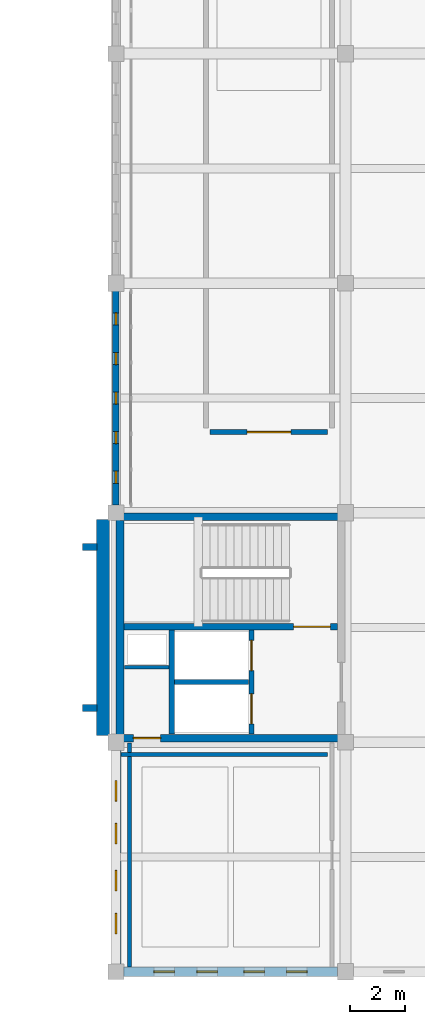
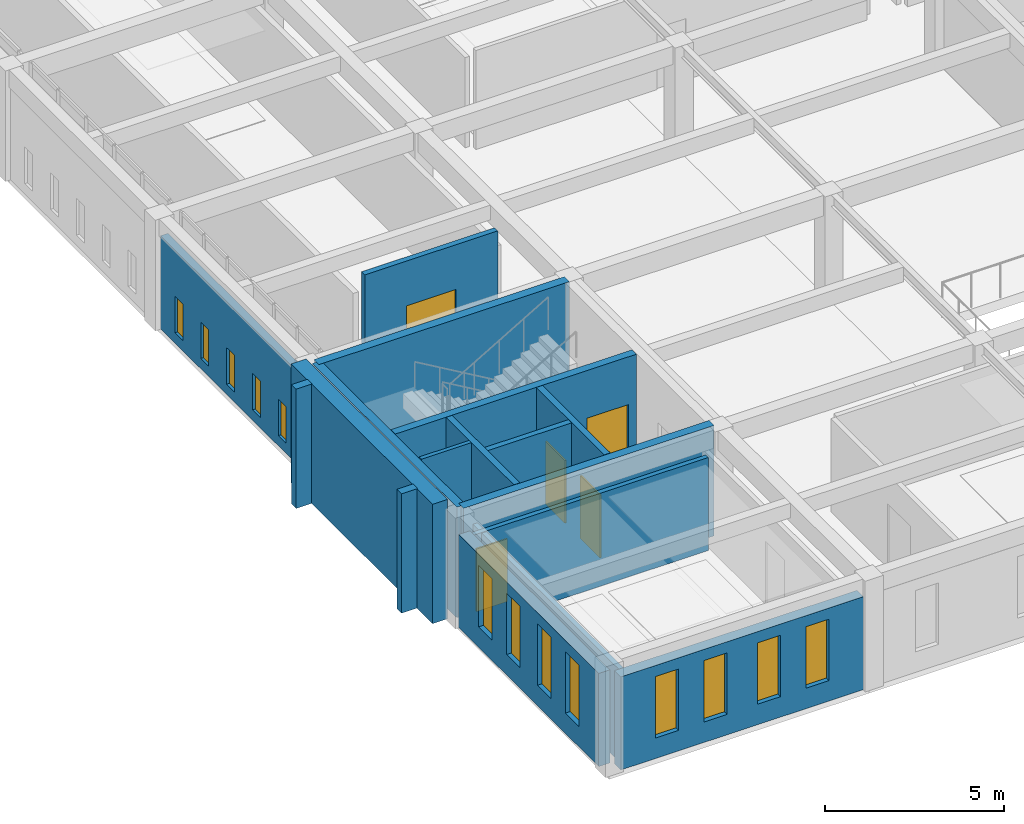
# One storey, part 42 of 56: 17 walls, 13 windows, 5 doors, 18 openings.
"""IFC4 building model written with IfcOpenShell, lengths in metres."""

from ifc_helpers import new_model, si_unit, direction, frame, frame_2d, origin, place, context, subcontext, project, spatial, rectangle, extrude, material, layer, layer_set, type_object, element, fill, save


model = new_model("IFC4")

# Units and contexts
model_context = context("Model", 3, precision=1e-05, world=origin(), true_north=direction((0.0, 1.0)))
body_context = subcontext(model_context, "Body", "Model", "MODEL_VIEW")
ifc_project = project(units=[si_unit("LENGTHUNIT", "METRE"), si_unit("AREAUNIT", "SQUARE_METRE"), si_unit("VOLUMEUNIT", "CUBIC_METRE"), si_unit("PLANEANGLEUNIT", "RADIAN"), si_unit("MASSUNIT", "GRAM", prefix="KILO")], contexts=[model_context])

# Site, building, storey
site_placement = place(None, origin())
site = spatial("IfcSite", under=ifc_project, at=site_placement, CompositionType="ELEMENT")
building_placement = place(site_placement, origin())
building = spatial("IfcBuilding", under=site, at=building_placement, Name="Kveldsbrygga Polytechnic", CompositionType="ELEMENT")
storey_placement = place(building_placement, frame((0.0, 0.0, 18.02001953125)))
storey = spatial("IfcBuildingStorey", under=building, at=storey_placement, Name="L04", CompositionType="ELEMENT", Elevation=18.02001953125)

# Wall
ifc_material_1 = material(Name="Fired clay brick masonry M10", Category="masonry")
ifc_layer_1 = layer(ifc_material_1, 0.47998046875)
ifc_layer_set_1 = layer_set([ifc_layer_1], Name="Fired clay brick masonry M10")
wall_type_1 = type_object("IfcWallType", Name="EW-BAST-480", PredefinedType="SOLIDWALL", material=ifc_layer_set_1)
wall_1_placement = place(storey_placement, frame((125.52001953125, 25.43994140625, 0.0), z_axis=(0.0, 0.0, 1.0), x_axis=(0.0, 1.0, 0.0)))
element("IfcWall", 1, at=wall_1_placement, inside=storey, type_object=wall_type_1, Name="Corner Stair Bastion Wall BAST-L04-Y-15-03", PredefinedType="SOLIDWALL", context=body_context, shape_type="SweptSolid", body=[
    extrude(rectangle(XDim=7.920166015625, YDim=0.47998046875, at=frame_2d((3.9599609375, 0.0))), origin(), (0.0, 0.0, 1.0), 4.080078125),
])

# Wall, openings, windows
ifc_layer_2 = layer(ifc_material_1, 0.360107421875)
ifc_layer_set_2 = layer_set([ifc_layer_2], Name="Fired clay brick masonry M10")
wall_type_2 = type_object("IfcWallType", Name="EW-BRICK-360", PredefinedType="SOLIDWALL", material=ifc_layer_set_2)
wall_2_placement = place(storey_placement, frame((126.27490234375, 16.800048828125, 0.0), z_axis=(0.0, 0.0, 1.0), x_axis=(1.0, 0.0, 0.0)))
wall_2 = element("IfcWall", 2, at=wall_2_placement, inside=storey, type_object=wall_type_2, Name="Exterior Brick Wall EW-L04-X-15-02", PredefinedType="SOLIDWALL", context=body_context, shape_type="SweptSolid", body=[
    extrude(rectangle(XDim=7.840087890625, YDim=0.360107421875, at=frame_2d((3.919921875, 0.0))), origin(), (0.0, 0.0, 1.0), 3.179931640625),
])
opening_1_placement = place(wall_2_placement, frame((1.114501953125, 0.0, 0.699951171875)))
opening_1 = element("IfcOpeningElement", 3, at=opening_1_placement, cuts=wall_2, Name="Opening W-27", PredefinedType="OPENING", context=body_context, shape_type="SweptSolid", body=[
    extrude(rectangle(XDim=0.75, YDim=2.10009765625, at=frame_2d((0.375, 1.050048828125))), frame((0.0, 0.18994140625, 0.0), z_axis=(0.0, -1.0, 0.0), x_axis=(1.0, 0.0, 0.0)), (0.0, 0.0, 1.0), 0.380126953125),
])
opening_2_placement = place(wall_2_placement, frame((2.6826171875, 0.0, 0.699951171875)))
opening_2 = element("IfcOpeningElement", 4, at=opening_2_placement, cuts=wall_2, Name="Opening W-27", PredefinedType="OPENING", context=body_context, shape_type="SweptSolid", body=[
    extrude(rectangle(XDim=0.75, YDim=2.10009765625, at=frame_2d((0.375, 1.050048828125))), frame((0.0, 0.18994140625, 0.0), z_axis=(0.0, -1.0, 0.0), x_axis=(1.0, 0.0, 0.0)), (0.0, 0.0, 1.0), 0.380126953125),
])
opening_3_placement = place(wall_2_placement, frame((4.407470703125, 0.0, 0.699951171875)))
opening_3 = element("IfcOpeningElement", 5, at=opening_3_placement, cuts=wall_2, Name="Opening W-27", PredefinedType="OPENING", context=body_context, shape_type="SweptSolid", body=[
    extrude(rectangle(XDim=0.75, YDim=2.10009765625, at=frame_2d((0.375, 1.050048828125))), frame((0.0, 0.18994140625, 0.0), z_axis=(0.0, -1.0, 0.0), x_axis=(1.0, 0.0, 0.0)), (0.0, 0.0, 1.0), 0.380126953125),
])
opening_4_placement = place(wall_2_placement, frame((5.975341796875, 0.0, 0.699951171875)))
opening_4 = element("IfcOpeningElement", 6, at=opening_4_placement, cuts=wall_2, Name="Opening W-27", PredefinedType="OPENING", context=body_context, shape_type="SweptSolid", body=[
    extrude(rectangle(XDim=0.75, YDim=2.10009765625, at=frame_2d((0.375, 1.050048828125))), frame((0.0, 0.18994140625, 0.0), z_axis=(0.0, -1.0, 0.0), x_axis=(1.0, 0.0, 0.0)), (0.0, 0.0, 1.0), 0.380126953125),
])
ifc_material_2 = material(Name="Insulated triple low-E glass", Category="glass")
window_type_1 = type_object("IfcWindowType", Name="WN-ATTIC-075x210", PartitioningType="DOUBLE_PANEL_VERTICAL", PredefinedType="WINDOW", material=ifc_material_2)
window_1_placement = place(opening_1_placement, origin())
window_1 = element("IfcWindow", 7, at=window_1_placement, inside=storey, type_object=window_type_1, Name="Gothic Lancet Window WIN-L04-X-15-02-1", OverallHeight=2.10009765625, OverallWidth=0.75, PartitioningType="DOUBLE_PANEL_VERTICAL", PredefinedType="WINDOW", context=body_context, shape_type="SweptSolid", body=[
    extrude(rectangle(XDim=0.75, YDim=2.10009765625, at=frame_2d((0.375, 1.050048828125))), frame((0.0, 0.030029296875, 0.0), z_axis=(0.0, -1.0, 0.0), x_axis=(1.0, 0.0, 0.0)), (0.0, 0.0, 1.0), 0.06005859375),
])
fill(opening_1, window_1)
window_2_placement = place(opening_2_placement, origin())
window_2 = element("IfcWindow", 8, at=window_2_placement, inside=storey, type_object=window_type_1, Name="Gothic Lancet Window WIN-L04-X-15-02-2", OverallHeight=2.10009765625, OverallWidth=0.75, PartitioningType="DOUBLE_PANEL_VERTICAL", PredefinedType="WINDOW", context=body_context, shape_type="SweptSolid", body=[
    extrude(rectangle(XDim=0.75, YDim=2.10009765625, at=frame_2d((0.375, 1.050048828125))), frame((0.0, 0.030029296875, 0.0), z_axis=(0.0, -1.0, 0.0), x_axis=(1.0, 0.0, 0.0)), (0.0, 0.0, 1.0), 0.06005859375),
])
fill(opening_2, window_2)
window_3_placement = place(opening_3_placement, origin())
window_3 = element("IfcWindow", 9, at=window_3_placement, inside=storey, type_object=window_type_1, Name="Gothic Lancet Window WIN-L04-X-15-02-3", OverallHeight=2.10009765625, OverallWidth=0.75, PartitioningType="DOUBLE_PANEL_VERTICAL", PredefinedType="WINDOW", context=body_context, shape_type="SweptSolid", body=[
    extrude(rectangle(XDim=0.75, YDim=2.10009765625, at=frame_2d((0.375, 1.050048828125))), frame((0.0, 0.030029296875, 0.0), z_axis=(0.0, -1.0, 0.0), x_axis=(1.0, 0.0, 0.0)), (0.0, 0.0, 1.0), 0.06005859375),
])
fill(opening_3, window_3)
window_4_placement = place(opening_4_placement, origin())
window_4 = element("IfcWindow", 10, at=window_4_placement, inside=storey, type_object=window_type_1, Name="Gothic Lancet Window WIN-L04-X-15-02-4", OverallHeight=2.10009765625, OverallWidth=0.75, PartitioningType="DOUBLE_PANEL_VERTICAL", PredefinedType="WINDOW", context=body_context, shape_type="SweptSolid", body=[
    extrude(rectangle(XDim=0.75, YDim=2.10009765625, at=frame_2d((0.375, 1.050048828125))), frame((0.0, 0.030029296875, 0.0), z_axis=(0.0, -1.0, 0.0), x_axis=(1.0, 0.0, 0.0)), (0.0, 0.0, 1.0), 0.06005859375),
])
fill(opening_4, window_4)

wall_3_placement = place(storey_placement, frame((126.0, 17.074951171875, 0.0), z_axis=(0.0, 0.0, 1.0), x_axis=(0.0, 1.0, 0.0)))
wall_3 = element("IfcWall", 11, at=wall_3_placement, inside=storey, type_object=wall_type_2, Name="Exterior Brick Wall EW-L04-Y-15-02", PredefinedType="SOLIDWALL", context=body_context, shape_type="SweptSolid", body=[
    extrude(rectangle(XDim=7.840087890625, YDim=0.360107421875, at=frame_2d((3.919921875, 0.0))), origin(), (0.0, 0.0, 1.0), 3.179931640625),
])
opening_5_placement = place(wall_3_placement, frame((1.114501953125, 0.0, 0.699951171875)))
opening_5 = element("IfcOpeningElement", 12, at=opening_5_placement, cuts=wall_3, Name="Opening W-27", PredefinedType="OPENING", context=body_context, shape_type="SweptSolid", body=[
    extrude(rectangle(XDim=0.75, YDim=2.10009765625, at=frame_2d((0.375, 1.050048828125))), frame((0.0, 0.18994140625, 0.0), z_axis=(0.0, -1.0, 0.0), x_axis=(1.0, 0.0, 0.0)), (0.0, 0.0, 1.0), 0.380126953125),
])
opening_6_placement = place(wall_3_placement, frame((2.6826171875, 0.0, 0.699951171875)))
opening_6 = element("IfcOpeningElement", 13, at=opening_6_placement, cuts=wall_3, Name="Opening W-27", PredefinedType="OPENING", context=body_context, shape_type="SweptSolid", body=[
    extrude(rectangle(XDim=0.75, YDim=2.10009765625, at=frame_2d((0.375, 1.050048828125))), frame((0.0, 0.18994140625, 0.0), z_axis=(0.0, -1.0, 0.0), x_axis=(1.0, 0.0, 0.0)), (0.0, 0.0, 1.0), 0.380126953125),
])
opening_7_placement = place(wall_3_placement, frame((4.407470703125, 0.0, 0.699951171875)))
opening_7 = element("IfcOpeningElement", 14, at=opening_7_placement, cuts=wall_3, Name="Opening W-27", PredefinedType="OPENING", context=body_context, shape_type="SweptSolid", body=[
    extrude(rectangle(XDim=0.75, YDim=2.10009765625, at=frame_2d((0.375, 1.050048828125))), frame((0.0, 0.18994140625, 0.0), z_axis=(0.0, -1.0, 0.0), x_axis=(1.0, 0.0, 0.0)), (0.0, 0.0, 1.0), 0.380126953125),
])
opening_8_placement = place(wall_3_placement, frame((5.975341796875, 0.0, 0.699951171875)))
opening_8 = element("IfcOpeningElement", 15, at=opening_8_placement, cuts=wall_3, Name="Opening W-27", PredefinedType="OPENING", context=body_context, shape_type="SweptSolid", body=[
    extrude(rectangle(XDim=0.75, YDim=2.10009765625, at=frame_2d((0.375, 1.050048828125))), frame((0.0, 0.18994140625, 0.0), z_axis=(0.0, -1.0, 0.0), x_axis=(1.0, 0.0, 0.0)), (0.0, 0.0, 1.0), 0.380126953125),
])
window_5_placement = place(opening_5_placement, origin())
window_5 = element("IfcWindow", 16, at=window_5_placement, inside=storey, type_object=window_type_1, Name="Gothic Lancet Window WIN-L04-Y-15-02-1", OverallHeight=2.10009765625, OverallWidth=0.75, PartitioningType="DOUBLE_PANEL_VERTICAL", PredefinedType="WINDOW", context=body_context, shape_type="SweptSolid", body=[
    extrude(rectangle(XDim=0.75, YDim=2.10009765625, at=frame_2d((0.375, 1.050048828125))), frame((0.0, 0.030029296875, 0.0), z_axis=(0.0, -1.0, 0.0), x_axis=(1.0, 0.0, 0.0)), (0.0, 0.0, 1.0), 0.06005859375),
])
fill(opening_5, window_5)
window_6_placement = place(opening_6_placement, origin())
window_6 = element("IfcWindow", 17, at=window_6_placement, inside=storey, type_object=window_type_1, Name="Gothic Lancet Window WIN-L04-Y-15-02-2", OverallHeight=2.10009765625, OverallWidth=0.75, PartitioningType="DOUBLE_PANEL_VERTICAL", PredefinedType="WINDOW", context=body_context, shape_type="SweptSolid", body=[
    extrude(rectangle(XDim=0.75, YDim=2.10009765625, at=frame_2d((0.375, 1.050048828125))), frame((0.0, 0.030029296875, 0.0), z_axis=(0.0, -1.0, 0.0), x_axis=(1.0, 0.0, 0.0)), (0.0, 0.0, 1.0), 0.06005859375),
])
fill(opening_6, window_6)
window_7_placement = place(opening_7_placement, origin())
window_7 = element("IfcWindow", 18, at=window_7_placement, inside=storey, type_object=window_type_1, Name="Gothic Lancet Window WIN-L04-Y-15-02-3", OverallHeight=2.10009765625, OverallWidth=0.75, PartitioningType="DOUBLE_PANEL_VERTICAL", PredefinedType="WINDOW", context=body_context, shape_type="SweptSolid", body=[
    extrude(rectangle(XDim=0.75, YDim=2.10009765625, at=frame_2d((0.375, 1.050048828125))), frame((0.0, 0.030029296875, 0.0), z_axis=(0.0, -1.0, 0.0), x_axis=(1.0, 0.0, 0.0)), (0.0, 0.0, 1.0), 0.06005859375),
])
fill(opening_7, window_7)
window_8_placement = place(opening_8_placement, origin())
window_8 = element("IfcWindow", 19, at=window_8_placement, inside=storey, type_object=window_type_1, Name="Gothic Lancet Window WIN-L04-Y-15-02-4", OverallHeight=2.10009765625, OverallWidth=0.75, PartitioningType="DOUBLE_PANEL_VERTICAL", PredefinedType="WINDOW", context=body_context, shape_type="SweptSolid", body=[
    extrude(rectangle(XDim=0.75, YDim=2.10009765625, at=frame_2d((0.375, 1.050048828125))), frame((0.0, 0.030029296875, 0.0), z_axis=(0.0, -1.0, 0.0), x_axis=(1.0, 0.0, 0.0)), (0.0, 0.0, 1.0), 0.06005859375),
])
fill(opening_8, window_8)

# Walls
ifc_layer_3 = layer(ifc_material_1, 0.260009765625)
ifc_layer_set_3 = layer_set([ifc_layer_3], Name="Fired clay brick masonry M10")
wall_type_3 = type_object("IfcWallType", Name="EW-BUTT-260", PredefinedType="SOLIDWALL", material=ifc_layer_set_3)
for number, where, z_axis, x_axis, name in (
    (20, (125.300048828125, 26.449951171875, 0.0), (0.0, 0.0, 1.0), (-1.0, 0.0, 0.0), "Gothic Brick Buttress Pier BCLAS-L04-Y-15-03-1"),
    (21, (125.300048828125, 32.35009765625, 0.0), (0.0, 0.0, 1.0), (-1.0, 0.0, 0.0), "Gothic Brick Buttress Pier BCLAS-L04-Y-15-03-2"),
):
    element("IfcWall", number, at=place(storey_placement, frame(where, z_axis=z_axis, x_axis=x_axis)), inside=storey, type_object=wall_type_3, Name=name, PredefinedType="SOLIDWALL", context=body_context, shape_type="SweptSolid", body=[
        extrude(rectangle(XDim=0.52001953125, YDim=0.260009765625, at=frame_2d((0.260009765625, 0.0))), origin(), (0.0, 0.0, 1.0), 4.080078125),
    ])

# Wall, openings, windows
ifc_layer_4 = layer(ifc_material_1, 0.239990234375)
ifc_layer_set_4 = layer_set([ifc_layer_4], Name="Fired clay brick masonry M10")
wall_type_4 = type_object("IfcWallType", Name="EW-SCRN-240", PredefinedType="SOLIDWALL", material=ifc_layer_set_4)
wall_4_placement = place(storey_placement, frame((126.0, 33.875, 0.0), z_axis=(0.0, 0.0, 1.0), x_axis=(0.0, 1.0, 0.0)))
wall_4 = element("IfcWall", 22, at=wall_4_placement, inside=storey, type_object=wall_type_4, Name="Perforated Brick Corridor Screen Wall SCRW-L04-Y-15-04", PredefinedType="SOLIDWALL", context=body_context, shape_type="SweptSolid", body=[
    extrude(rectangle(XDim=7.840087890625, YDim=0.239990234375, at=frame_2d((3.919921875, 0.0))), origin(), (0.0, 0.0, 1.0), 3.179931640625),
])
opening_9_placement = place(wall_4_placement, frame((0.803955078125, 0.0, 0.35009765625)))
opening_9 = element("IfcOpeningElement", 23, at=opening_9_placement, cuts=wall_4, Name="Opening W-48", PredefinedType="OPENING", context=body_context, shape_type="SweptSolid", body=[
    extrude(rectangle(XDim=0.43994140625, YDim=1.25, at=frame_2d((0.219970703125, 0.625))), frame((0.0, 0.1298828125, 0.0), z_axis=(0.0, -1.0, 0.0), x_axis=(1.0, 0.0, 0.0)), (0.0, 0.0, 1.0), 0.260009765625),
])
opening_10_placement = place(wall_4_placement, frame((2.251953125, 0.0, 0.35009765625)))
opening_10 = element("IfcOpeningElement", 24, at=opening_10_placement, cuts=wall_4, Name="Opening W-48", PredefinedType="OPENING", context=body_context, shape_type="SweptSolid", body=[
    extrude(rectangle(XDim=0.43994140625, YDim=1.25, at=frame_2d((0.219970703125, 0.625))), frame((0.0, 0.1298828125, 0.0), z_axis=(0.0, -1.0, 0.0), x_axis=(1.0, 0.0, 0.0)), (0.0, 0.0, 1.0), 0.260009765625),
])
opening_11_placement = place(wall_4_placement, frame((3.699951171875, 0.0, 0.35009765625)))
opening_11 = element("IfcOpeningElement", 25, at=opening_11_placement, cuts=wall_4, Name="Opening W-48", PredefinedType="OPENING", context=body_context, shape_type="SweptSolid", body=[
    extrude(rectangle(XDim=0.43994140625, YDim=1.25, at=frame_2d((0.219970703125, 0.625))), frame((0.0, 0.1298828125, 0.0), z_axis=(0.0, -1.0, 0.0), x_axis=(1.0, 0.0, 0.0)), (0.0, 0.0, 1.0), 0.260009765625),
])
opening_12_placement = place(wall_4_placement, frame((5.14794921875, 0.0, 0.35009765625)))
opening_12 = element("IfcOpeningElement", 26, at=opening_12_placement, cuts=wall_4, Name="Opening W-48", PredefinedType="OPENING", context=body_context, shape_type="SweptSolid", body=[
    extrude(rectangle(XDim=0.43994140625, YDim=1.25, at=frame_2d((0.219970703125, 0.625))), frame((0.0, 0.1298828125, 0.0), z_axis=(0.0, -1.0, 0.0), x_axis=(1.0, 0.0, 0.0)), (0.0, 0.0, 1.0), 0.260009765625),
])
opening_13_placement = place(wall_4_placement, frame((6.595947265625, 0.0, 0.35009765625)))
opening_13 = element("IfcOpeningElement", 27, at=opening_13_placement, cuts=wall_4, Name="Opening W-48", PredefinedType="OPENING", context=body_context, shape_type="SweptSolid", body=[
    extrude(rectangle(XDim=0.43994140625, YDim=1.25, at=frame_2d((0.219970703125, 0.625))), frame((0.0, 0.1298828125, 0.0), z_axis=(0.0, -1.0, 0.0), x_axis=(1.0, 0.0, 0.0)), (0.0, 0.0, 1.0), 0.260009765625),
])
window_type_2 = type_object("IfcWindowType", Name="WN-SCRN-044x125", PartitioningType="SINGLE_PANEL", PredefinedType="WINDOW", material=ifc_material_2)
window_9_placement = place(opening_9_placement, origin())
window_9 = element("IfcWindow", 28, at=window_9_placement, inside=storey, type_object=window_type_2, Name="Perforated Screen Aperture L04-Y-15-04-1", OverallHeight=1.25, OverallWidth=0.43994140625, PartitioningType="SINGLE_PANEL", PredefinedType="WINDOW", context=body_context, shape_type="SweptSolid", body=[
    extrude(rectangle(XDim=0.43994140625, YDim=1.25, at=frame_2d((0.219970703125, 0.625))), frame((0.0, 0.030029296875, 0.0), z_axis=(0.0, -1.0, 0.0), x_axis=(1.0, 0.0, 0.0)), (0.0, 0.0, 1.0), 0.06005859375),
])
fill(opening_9, window_9)
window_10_placement = place(opening_10_placement, origin())
window_10 = element("IfcWindow", 29, at=window_10_placement, inside=storey, type_object=window_type_2, Name="Perforated Screen Aperture L04-Y-15-04-2", OverallHeight=1.25, OverallWidth=0.43994140625, PartitioningType="SINGLE_PANEL", PredefinedType="WINDOW", context=body_context, shape_type="SweptSolid", body=[
    extrude(rectangle(XDim=0.43994140625, YDim=1.25, at=frame_2d((0.219970703125, 0.625))), frame((0.0, 0.030029296875, 0.0), z_axis=(0.0, -1.0, 0.0), x_axis=(1.0, 0.0, 0.0)), (0.0, 0.0, 1.0), 0.06005859375),
])
fill(opening_10, window_10)
window_11_placement = place(opening_11_placement, origin())
window_11 = element("IfcWindow", 30, at=window_11_placement, inside=storey, type_object=window_type_2, Name="Perforated Screen Aperture L04-Y-15-04-3", OverallHeight=1.25, OverallWidth=0.43994140625, PartitioningType="SINGLE_PANEL", PredefinedType="WINDOW", context=body_context, shape_type="SweptSolid", body=[
    extrude(rectangle(XDim=0.43994140625, YDim=1.25, at=frame_2d((0.219970703125, 0.625))), frame((0.0, 0.030029296875, 0.0), z_axis=(0.0, -1.0, 0.0), x_axis=(1.0, 0.0, 0.0)), (0.0, 0.0, 1.0), 0.06005859375),
])
fill(opening_11, window_11)
window_12_placement = place(opening_12_placement, origin())
window_12 = element("IfcWindow", 31, at=window_12_placement, inside=storey, type_object=window_type_2, Name="Perforated Screen Aperture L04-Y-15-04-4", OverallHeight=1.25, OverallWidth=0.43994140625, PartitioningType="SINGLE_PANEL", PredefinedType="WINDOW", context=body_context, shape_type="SweptSolid", body=[
    extrude(rectangle(XDim=0.43994140625, YDim=1.25, at=frame_2d((0.219970703125, 0.625))), frame((0.0, 0.030029296875, 0.0), z_axis=(0.0, -1.0, 0.0), x_axis=(1.0, 0.0, 0.0)), (0.0, 0.0, 1.0), 0.06005859375),
])
fill(opening_12, window_12)
window_13_placement = place(opening_13_placement, origin())
window_13 = element("IfcWindow", 32, at=window_13_placement, inside=storey, type_object=window_type_2, Name="Perforated Screen Aperture L04-Y-15-04-5", OverallHeight=1.25, OverallWidth=0.43994140625, PartitioningType="SINGLE_PANEL", PredefinedType="WINDOW", context=body_context, shape_type="SweptSolid", body=[
    extrude(rectangle(XDim=0.43994140625, YDim=1.25, at=frame_2d((0.219970703125, 0.625))), frame((0.0, 0.030029296875, 0.0), z_axis=(0.0, -1.0, 0.0), x_axis=(1.0, 0.0, 0.0)), (0.0, 0.0, 1.0), 0.06005859375),
])
fill(opening_13, window_13)

# Wall, opening, door
ifc_material_3 = material(Name="Gypsum acoustic stud partition")
ifc_layer_5 = layer(ifc_material_3, 0.179931640625)
ifc_layer_set_5 = layer_set([ifc_layer_5], Name="Gypsum acoustic stud partition")
wall_type_5 = type_object("IfcWallType", Name="IW-CORR-180", PredefinedType="PARTITIONING", material=ifc_layer_set_5)
wall_5_placement = place(storey_placement, frame((129.449951171875, 36.550048828125, 0.0), z_axis=(0.0, 0.0, 1.0), x_axis=(1.0, 0.0, 0.0)))
wall_5 = element("IfcWall", 33, at=wall_5_placement, inside=storey, type_object=wall_type_5, Name="Partition Wall IW-SP-L04-COM2-S1", PredefinedType="PARTITIONING", context=body_context, shape_type="SweptSolid", body=[
    extrude(rectangle(XDim=4.300048828125, YDim=0.179931640625, at=frame_2d((2.14990234375, 0.0))), origin(), (0.0, 0.0, 1.0), 3.780029296875),
])
opening_14_placement = place(wall_5_placement, frame((1.35009765625, 0.0, 0.0)))
opening_14 = element("IfcOpeningElement", 34, at=opening_14_placement, cuts=wall_5, Name="Opening ID-L04-085", PredefinedType="OPENING", context=body_context, shape_type="SweptSolid", body=[
    extrude(rectangle(XDim=1.60009765625, YDim=2.25, at=frame_2d((0.800048828125, 1.125))), frame((0.0, 0.10009765625, 0.0), z_axis=(0.0, -1.0, 0.0), x_axis=(1.0, 0.0, 0.0)), (0.0, 0.0, 1.0), 0.199951171875),
])
ifc_material_4 = material(Name="Acoustic oak timber", Category="wood")
door_type_1 = type_object("IfcDoorType", Name="ID-LIB-160x225", OperationType="DOUBLE_DOOR_SINGLE_SWING", PredefinedType="DOOR", material=ifc_material_4)
door_1_placement = place(opening_14_placement, origin())
door_1 = element("IfcDoor", 35, at=door_1_placement, inside=storey, type_object=door_type_1, Name="Interior Door ID-L04-085", OperationType="DOUBLE_DOOR_SINGLE_SWING", OverallHeight=2.25, OverallWidth=1.60009765625, PredefinedType="DOOR", context=body_context, shape_type="SweptSolid", body=[
    extrude(rectangle(XDim=1.60009765625, YDim=2.25, at=frame_2d((0.800048828125, 1.125))), frame((0.0, 0.02490234375, 0.0), z_axis=(0.0, -1.0, 0.0), x_axis=(1.0, 0.0, 0.0)), (0.0, 0.0, 1.0), 0.050048828125),
])
fill(opening_14, door_1)

# Walls
ifc_material_5 = material(Name="Moisture-resistant masonry M10", Category="masonry")
ifc_layer_6 = layer(ifc_material_5, 0.1298828125)
ifc_layer_set_6 = layer_set([ifc_layer_6], Name="Moisture-resistant masonry M10")
wall_type_6 = type_object("IfcWallType", Name="IW-SAN-130", PredefinedType="PARTITIONING", material=ifc_layer_set_6)
wall_6_placement = place(storey_placement, frame((126.320068359375, 27.93994140625, 0.0), z_axis=(0.0, 0.0, 1.0), x_axis=(1.0, 0.0, 0.0)))
element("IfcWall", 36, at=wall_6_placement, inside=storey, type_object=wall_type_6, Name="Core AWC Divider C1-L04-W-RSR", PredefinedType="PARTITIONING", context=body_context, shape_type="SweptSolid", body=[
    extrude(rectangle(XDim=1.619873046875, YDim=0.1298828125, at=frame_2d((0.81005859375, 0.0))), origin(), (0.0, 0.0, 1.0), 3.780029296875),
])
ifc_layer_7 = layer(ifc_material_3, 0.14990234375)
ifc_layer_set_7 = layer_set([ifc_layer_7], Name="Gypsum acoustic stud partition")
wall_type_7 = type_object("IfcWallType", Name="IW-SEM-150", PredefinedType="PARTITIONING", material=ifc_layer_set_7)
wall_7_placement = place(storey_placement, frame((126.179931640625, 24.75, 0.0), z_axis=(0.0, 0.0, 1.0), x_axis=(1.0, 0.0, 0.0)))
element("IfcWall", 37, at=wall_7_placement, inside=storey, type_object=wall_type_7, Name="Partition Wall IW-SP-L04-SEM42-N1", PredefinedType="PARTITIONING", context=body_context, shape_type="SweptSolid", body=[
    extrude(rectangle(XDim=7.570068359375, YDim=0.14990234375, at=frame_2d((3.78515625, 0.0))), origin(), (0.0, 0.0, 1.0), 3.179931640625),
])
wall_8_placement = place(storey_placement, frame((126.5, 16.97998046875, 0.0), z_axis=(0.0, 0.0, 1.0), x_axis=(0.0, 1.0, 0.0)))
element("IfcWall", 38, at=wall_8_placement, inside=storey, type_object=wall_type_7, Name="Partition Wall IW-SP-L04-SEM42-W1", PredefinedType="PARTITIONING", context=body_context, shape_type="SweptSolid", body=[
    extrude(rectangle(XDim=8.18994140625, YDim=0.14990234375, at=frame_2d((4.094970703125, 0.0))), origin(), (0.0, 0.0, 1.0), 3.159912109375),
])

# Wall, opening, door
ifc_material_6 = material(Name="Concrete C45/55", Category="concrete")
ifc_layer_8 = layer(ifc_material_6, 0.25)
ifc_layer_set_8 = layer_set([ifc_layer_8], Name="Concrete C45/55")
wall_type_8 = type_object("IfcWallType", Name="WL-CORE-250", PredefinedType="SHEAR", material=ifc_layer_set_8)
wall_9_placement = place(storey_placement, frame((126.300048828125, 29.429931640625, 0.0), z_axis=(0.0, 0.0, 1.0), x_axis=(1.0, 0.0, 0.0)))
wall_9 = element("IfcWall", 39, at=wall_9_placement, inside=storey, type_object=wall_type_8, Name="Core C1 Shear Wall C1-L04-W-DIV", PredefinedType="SHEAR", context=body_context, shape_type="SweptSolid", body=[
    extrude(rectangle(XDim=7.800048828125, YDim=0.25, at=frame_2d((3.89990234375, 0.0))), origin(), (0.0, 0.0, 1.0), 3.780029296875),
])
opening_15_placement = place(wall_9_placement, frame((6.199951171875, 0.0, 0.0)))
opening_15 = element("IfcOpeningElement", 40, at=opening_15_placement, cuts=wall_9, Name="Opening FD-C1-L04-ST", PredefinedType="OPENING", context=body_context, shape_type="SweptSolid", body=[
    extrude(rectangle(XDim=1.35009765625, YDim=2.14990234375, at=frame_2d((0.675048828125, 1.074951171875))), frame((0.0, 0.135009765625, 0.0), z_axis=(0.0, -1.0, 0.0), x_axis=(1.0, 0.0, 0.0)), (0.0, 0.0, 1.0), 0.27001953125),
])
ifc_material_7 = material(Name="Powder-coated galvanised steel", Category="steel")
door_type_2 = type_object("IfcDoorType", Name="ID-STAIR-135x215", OperationType="NOTDEFINED", PredefinedType="DOOR", material=ifc_material_7)
door_2_placement = place(opening_15_placement, origin())
door_2 = element("IfcDoor", 41, at=door_2_placement, inside=storey, type_object=door_type_2, Name="Stair Fire Door FD-C1-L04-ST", OperationType="SINGLE_SWING_LEFT", OverallHeight=2.14990234375, OverallWidth=1.35009765625, PredefinedType="DOOR", context=body_context, shape_type="SweptSolid", body=[
    extrude(rectangle(XDim=1.35009765625, YDim=2.14990234375, at=frame_2d((0.675048828125, 1.074951171875))), frame((0.0, 0.02490234375, 0.0), z_axis=(0.0, -1.0, 0.0), x_axis=(1.0, 0.0, 0.0)), (0.0, 0.0, 1.0), 0.050048828125),
])
fill(opening_15, door_2)

ifc_layer_9 = layer(ifc_material_6, 0.280029296875)
ifc_layer_set_9 = layer_set([ifc_layer_9], Name="Concrete C45/55")
wall_type_9 = type_object("IfcWallType", Name="WL-CORE-280", PredefinedType="SHEAR", material=ifc_layer_set_9)
wall_10_placement = place(storey_placement, frame((126.14990234375, 25.35009765625, 0.0), z_axis=(0.0, 0.0, 1.0), x_axis=(1.0, 0.0, 0.0)))
wall_10 = element("IfcWall", 42, at=wall_10_placement, inside=storey, type_object=wall_type_9, Name="Core C1 Shear Wall C1-L04-SW-S", PredefinedType="SHEAR", context=body_context, shape_type="SweptSolid", body=[
    extrude(rectangle(XDim=8.10009765625, YDim=0.280029296875, at=frame_2d((4.050048828125, 0.0))), origin(), (0.0, 0.0, 1.0), 3.780029296875),
])
opening_16_placement = place(wall_10_placement, frame((0.485107421875, 0.0, 0.0)))
opening_16 = element("IfcOpeningElement", 43, at=opening_16_placement, cuts=wall_10, Name="Opening ID-C1-L04-AWC", PredefinedType="OPENING", context=body_context, shape_type="SweptSolid", body=[
    extrude(rectangle(XDim=1.0, YDim=2.14990234375, at=frame_2d((0.5, 1.074951171875))), frame((0.0, 0.14990234375, 0.0), z_axis=(0.0, -1.0, 0.0), x_axis=(1.0, 0.0, 0.0)), (0.0, 0.0, 1.0), 0.300048828125),
])
door_type_3 = type_object("IfcDoorType", Name="ID-AWC-100x215", OperationType="NOTDEFINED", PredefinedType="DOOR", material=ifc_material_4)
door_3_placement = place(opening_16_placement, origin())
door_3 = element("IfcDoor", 44, at=door_3_placement, inside=storey, type_object=door_type_3, Name="Accessible WC Door ID-C1-L04-AWC", OperationType="SINGLE_SWING_RIGHT", OverallHeight=2.14990234375, OverallWidth=1.0, PredefinedType="DOOR", context=body_context, shape_type="SweptSolid", body=[
    extrude(rectangle(XDim=1.0, YDim=2.14990234375, at=frame_2d((0.5, 1.074951171875))), frame((0.0, 0.02490234375, 0.0), z_axis=(0.0, -1.0, 0.0), x_axis=(1.0, 0.0, 0.0)), (0.0, 0.0, 1.0), 0.050048828125),
])
fill(opening_16, door_3)

# Walls
wall_11_placement = place(storey_placement, frame((126.14990234375, 33.449951171875, 0.0), z_axis=(0.0, 0.0, 1.0), x_axis=(1.0, 0.0, 0.0)))
element("IfcWall", 45, at=wall_11_placement, inside=storey, type_object=wall_type_9, Name="Core C1 Shear Wall C1-L04-SW-N", PredefinedType="SHEAR", context=body_context, shape_type="SweptSolid", body=[
    extrude(rectangle(XDim=8.10009765625, YDim=0.280029296875, at=frame_2d((4.050048828125, 0.0))), origin(), (0.0, 0.0, 1.0), 3.780029296875),
])
wall_12_placement = place(storey_placement, frame((126.14990234375, 25.35009765625, 0.0), z_axis=(0.0, 0.0, 1.0), x_axis=(0.0, 1.0, 0.0)))
element("IfcWall", 46, at=wall_12_placement, inside=storey, type_object=wall_type_9, Name="Core C1 Shear Wall C1-L04-SW-W", PredefinedType="SHEAR", context=body_context, shape_type="SweptSolid", body=[
    extrude(rectangle(XDim=8.099853515625, YDim=0.280029296875, at=frame_2d((4.0498046875, 0.0))), origin(), (0.0, 0.0, 1.0), 3.780029296875),
])
ifc_material_8 = material(Name="Concrete C35/45", Category="concrete")
ifc_layer_10 = layer(ifc_material_8, 0.179931640625)
ifc_layer_set_10 = layer_set([ifc_layer_10], Name="Concrete C35/45")
wall_type_10 = type_object("IfcWallType", Name="WL-SHFT-180", PredefinedType="SHEAR", material=ifc_layer_set_10)
wall_13_placement = place(storey_placement, frame((128.14990234375, 27.39990234375, 0.0), z_axis=(0.0, 0.0, 1.0), x_axis=(1.0, 0.0, 0.0)))
element("IfcWall", 47, at=wall_13_placement, inside=storey, type_object=wall_type_10, Name="Lift Divider Wall C1-L04-W-LMID", PredefinedType="SHEAR", context=body_context, shape_type="SweptSolid", body=[
    extrude(rectangle(XDim=2.7001953125, YDim=0.179931640625, at=frame_2d((1.35009765625, 0.0))), origin(), (0.0, 0.0, 1.0), 3.780029296875),
])

# Wall, openings, doors
ifc_layer_11 = layer(ifc_material_8, 0.199951171875)
ifc_layer_set_11 = layer_set([ifc_layer_11], Name="Concrete C35/45")
wall_type_11 = type_object("IfcWallType", Name="WL-SHFT-200", PredefinedType="SHEAR", material=ifc_layer_set_11)
wall_14_placement = place(storey_placement, frame((130.9599609375, 25.5, 0.0), z_axis=(0.0, 0.0, 1.0), x_axis=(0.0, 1.0, 0.0)))
wall_14 = element("IfcWall", 48, at=wall_14_placement, inside=storey, type_object=wall_type_11, Name="Lift Front Wall C1-L04-W-LFR", PredefinedType="SHEAR", context=body_context, shape_type="SweptSolid", body=[
    extrude(rectangle(XDim=3.800048828125, YDim=0.199951171875, at=frame_2d((1.89990234375, 0.0))), origin(), (0.0, 0.0, 1.0), 3.780029296875),
])
opening_17_placement = place(wall_14_placement, frame((0.375, 0.0, 0.0)))
opening_17 = element("IfcOpeningElement", 49, at=opening_17_placement, cuts=wall_14, Name="Opening LD-FL-1", PredefinedType="OPENING", context=body_context, shape_type="SweptSolid", body=[
    extrude(rectangle(XDim=1.10009765625, YDim=2.14990234375, at=frame_2d((0.550048828125, 1.074951171875))), frame((0.0, 0.10986328125, 0.0), z_axis=(0.0, -1.0, 0.0), x_axis=(1.0, 0.0, 0.0)), (0.0, 0.0, 1.0), 0.219970703125),
])
opening_18_placement = place(wall_14_placement, frame((2.324951171875, 0.0, 0.0)))
opening_18 = element("IfcOpeningElement", 50, at=opening_18_placement, cuts=wall_14, Name="Opening LD-LP-1", PredefinedType="OPENING", context=body_context, shape_type="SweptSolid", body=[
    extrude(rectangle(XDim=1.10009765625, YDim=2.14990234375, at=frame_2d((0.550048828125, 1.074951171875))), frame((0.0, 0.10986328125, 0.0), z_axis=(0.0, -1.0, 0.0), x_axis=(1.0, 0.0, 0.0)), (0.0, 0.0, 1.0), 0.219970703125),
])
ifc_material_9 = material(Name="Brushed stainless steel EN 1.4401", Category="steel")
door_type_4 = type_object("IfcDoorType", Name="LD-PAX-110x215", OperationType="SLIDING_TO_LEFT", PredefinedType="DOOR", material=ifc_material_9)
door_4_placement = place(opening_17_placement, origin())
door_4 = element("IfcDoor", 51, at=door_4_placement, inside=storey, type_object=door_type_4, Name="Lift Landing Sliding Door LD-FL-1-L04", OperationType="SLIDING_TO_LEFT", OverallHeight=2.14990234375, OverallWidth=1.10009765625, PredefinedType="DOOR", context=body_context, shape_type="SweptSolid", body=[
    extrude(rectangle(XDim=1.10009765625, YDim=2.14990234375, at=frame_2d((0.550048828125, 1.074951171875))), frame((0.0, 0.02490234375, 0.0), z_axis=(0.0, -1.0, 0.0), x_axis=(1.0, 0.0, 0.0)), (0.0, 0.0, 1.0), 0.050048828125),
])
fill(opening_17, door_4)
door_5_placement = place(opening_18_placement, origin())
door_5 = element("IfcDoor", 52, at=door_5_placement, inside=storey, type_object=door_type_4, Name="Lift Landing Sliding Door LD-LP-1-L04", OperationType="SLIDING_TO_LEFT", OverallHeight=2.14990234375, OverallWidth=1.10009765625, PredefinedType="DOOR", context=body_context, shape_type="SweptSolid", body=[
    extrude(rectangle(XDim=1.10009765625, YDim=2.14990234375, at=frame_2d((0.550048828125, 1.074951171875))), frame((0.0, 0.02490234375, 0.0), z_axis=(0.0, -1.0, 0.0), x_axis=(1.0, 0.0, 0.0)), (0.0, 0.0, 1.0), 0.050048828125),
])
fill(opening_18, door_5)

# Wall
wall_15_placement = place(storey_placement, frame((128.0400390625, 25.5, 0.0), z_axis=(0.0, 0.0, 1.0), x_axis=(0.0, 1.0, 0.0)))
element("IfcWall", 53, at=wall_15_placement, inside=storey, type_object=wall_type_11, Name="Lift Back Wall C1-L04-W-LBK", PredefinedType="SHEAR", context=body_context, shape_type="SweptSolid", body=[
    extrude(rectangle(XDim=3.800048828125, YDim=0.199951171875, at=frame_2d((1.89990234375, 0.0))), origin(), (0.0, 0.0, 1.0), 3.780029296875),
])

save(model, "model.ifc")
